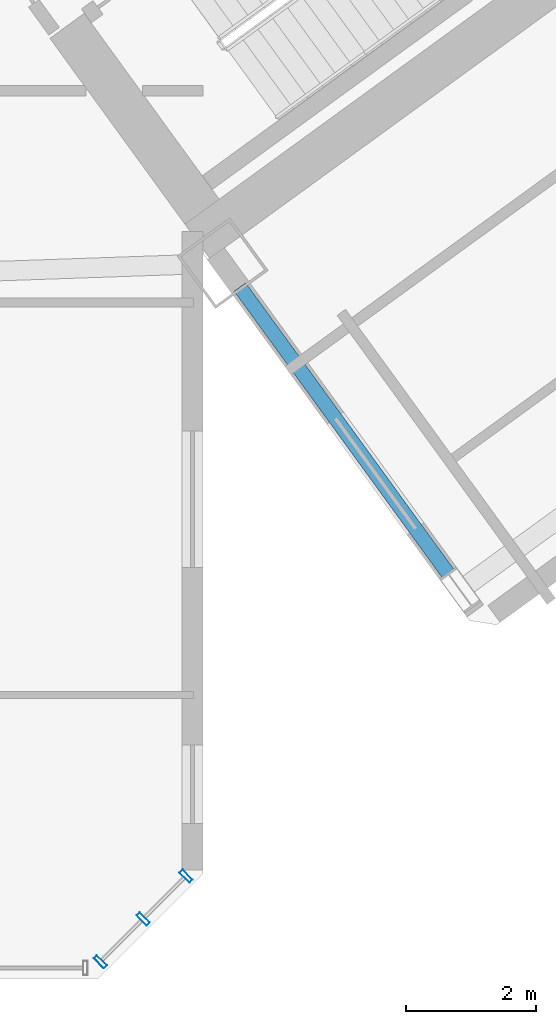
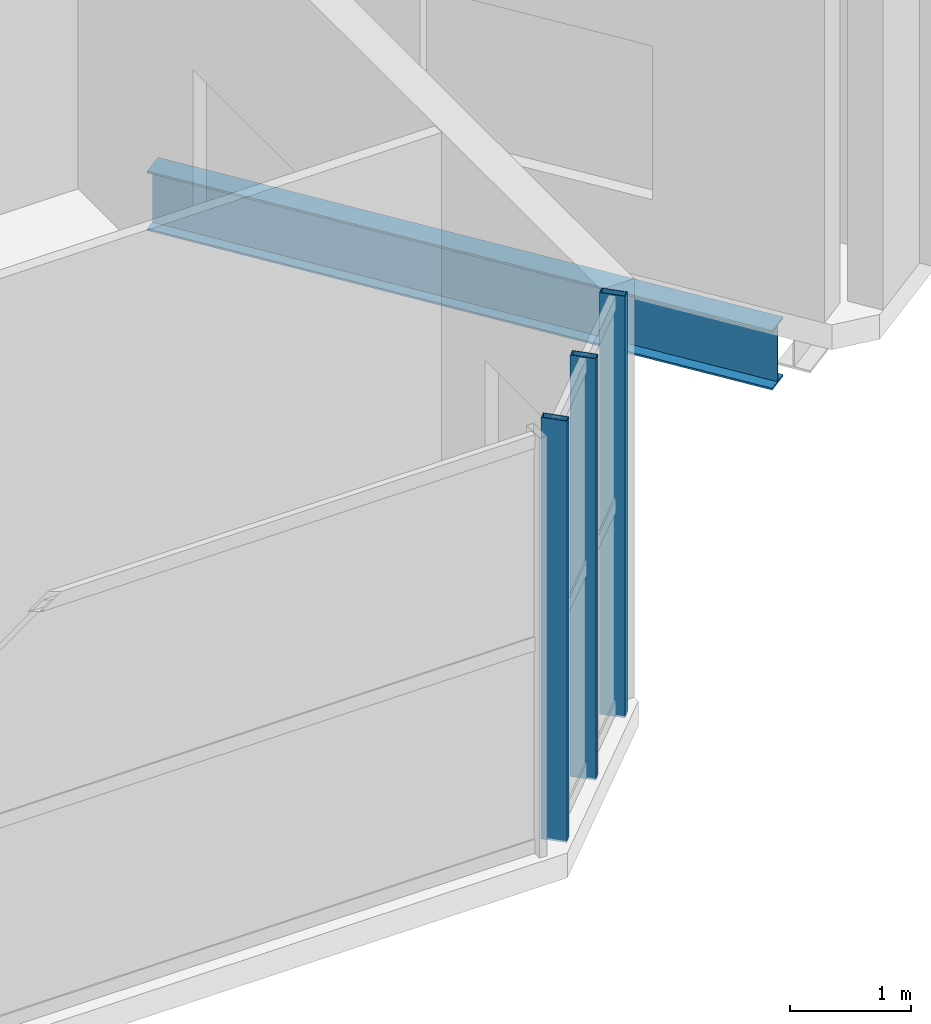
# One storey, part 9 of 30: 3 members, 1 beam, 1 element without a shape of its own.
"""IFC4 building model written with IfcOpenShell, lengths in metres."""

from ifc_helpers import new_model, si_unit, direction, frame, origin, origin_2d, place, context, subcontext, project, spatial, hollow_rectangle, i_section, extrude, source, transform, mapped, material, material_profile, profile_set, type_object, element, aggregate, save


model = new_model("IFC4")

# Units and contexts
model_context = context("Model", 3, precision=1e-05, world=origin(), true_north=direction((0.0, 1.0)))
body_context = subcontext(model_context, "Body", "Model", "MODEL_VIEW")
ifc_project = project(units=[si_unit("LENGTHUNIT", "METRE"), si_unit("AREAUNIT", "SQUARE_METRE"), si_unit("VOLUMEUNIT", "CUBIC_METRE"), si_unit("PLANEANGLEUNIT", "RADIAN"), si_unit("MASSUNIT", "GRAM", prefix="KILO")], contexts=[model_context])

# Site, building, storey
site_placement = place(None, origin())
site = spatial("IfcSite", under=ifc_project, at=site_placement, CompositionType="ELEMENT")
building_placement = place(site_placement, origin())
building = spatial("IfcBuilding", under=site, at=building_placement, Name="Tlacorven Tower", CompositionType="ELEMENT")
storey_placement = place(building_placement, frame((0.0, 0.0, 67.199951171875)))
storey = spatial("IfcBuildingStorey", under=building, at=storey_placement, Name="L17", CompositionType="ELEMENT", Elevation=67.199951171875)

# Beam
ifc_material_1 = material(Name="Steel S355J2", Category="steel")
ifc_material_profile_1 = material_profile(ifc_material_1, i_section(OverallWidth=0.219970703125, OverallDepth=0.60009765625, WebThickness=0.011962890625, FlangeThickness=0.01904296875, at=origin_2d()), Name="IPE 600")
ifc_profile_set_1 = profile_set([ifc_material_profile_1], Name="Steel S355J2")
beam_type = type_object("IfcBeamType", Name="BM-TWR-600", PredefinedType="BEAM", material=ifc_profile_set_1)
shared_shape_1 = source(origin(), body_context, "Body", "SweptSolid", [
    extrude(i_section(OverallWidth=0.219970703125, OverallDepth=0.60009765625, WebThickness=0.011962890625, FlangeThickness=0.01904296875, at=origin_2d()), origin(), (0.0, 0.0, 1.0), 5.650146484375),
])
beam_placement = place(storey_placement, frame((56.291015625, 7.83837890625, -0.550048828125), z_axis=(-0.587783675561, 0.809018139935, 0.0), x_axis=(-0.809018139935, -0.587783675561, 0.0)))
element("IfcBeam", 1, at=beam_placement, inside=storey, type_object=beam_type, Name="L17 beam BM-L17-ET1-1", PredefinedType="BEAM", context=body_context, shape_type="MappedRepresentation", body=[
    mapped(shared_shape_1, transform((0.0, 0.0, 0.0), scale=1.0)),
])

# Curtain wall, members
ifc_material_2 = material(Name="Dark solar low-E double glazing in aluminium frame", Category="aluminium")
curtain_wall_type = type_object("IfcCurtainWallType", Name="CW-TWR-LOW", PredefinedType="USERDEFINED", material=ifc_material_2)
curtain_wall_placement = place(storey_placement, origin())
curtain_wall = element("IfcCurtainWall", 2, at=curtain_wall_placement, inside=storey, type_object=curtain_wall_type, Name="L17 CW-TWR-LOW Curtain Wall 93", ObjectType="UNITISED CURTAIN WALL", PredefinedType="USERDEFINED")
ifc_material_3 = material(Name="Aluminium 6063-T6 anodised", Category="aluminium")
ifc_material_profile_2 = material_profile(ifc_material_3, hollow_rectangle(XDim=0.070068359375, YDim=0.219970703125, WallThickness=0.0048828125, at=origin_2d()), Name="ALU MULLION 70X220")
ifc_profile_set_2 = profile_set([ifc_material_profile_2], Name="Aluminium 6063-T6 anodised")
member_type = type_object("IfcMemberType", Name="CWM-01", PredefinedType="MULLION", material=ifc_profile_set_2)
shared_shape_2 = source(origin(), body_context, "Body", "SweptSolid", [
    extrude(hollow_rectangle(XDim=0.070068359375, YDim=0.219970703125, WallThickness=0.0048828125, at=origin_2d()), origin(), (0.0, 0.0, 1.0), 4.25),
])
member_1_placement = place(storey_placement, frame((52.14453125, 3.370849609375, -0.02001953125), z_axis=(0.0, 0.0, 1.0), x_axis=(-0.707106781187, -0.707106781187, 0.0)))
member_1 = element("IfcMember", 3, at=member_1_placement, type_object=member_type, Name="CW-L17-093 Mullion 1", PredefinedType="MULLION", context=body_context, shape_type="MappedRepresentation", body=[
    mapped(shared_shape_2, transform((0.0, 0.0, 0.0), scale=1.0)),
])
member_2_placement = place(storey_placement, frame((51.48681640625, 2.713134765625, -0.02001953125), z_axis=(0.0, 0.0, 1.0), x_axis=(-0.707106781187, -0.707106781187, 0.0)))
member_2 = element("IfcMember", 4, at=member_2_placement, type_object=member_type, Name="CW-L17-093 Mullion 2", PredefinedType="MULLION", context=body_context, shape_type="MappedRepresentation", body=[
    mapped(shared_shape_2, transform((0.0, 0.0, 0.0), scale=1.0)),
])
member_3_placement = place(storey_placement, frame((50.8291015625, 2.055419921875, -0.02001953125), z_axis=(0.0, 0.0, 1.0), x_axis=(-0.707106781187, -0.707106781187, 0.0)))
member_3 = element("IfcMember", 5, at=member_3_placement, type_object=member_type, Name="CW-L17-093 Mullion 3", PredefinedType="MULLION", context=body_context, shape_type="MappedRepresentation", body=[
    mapped(shared_shape_2, transform((0.0, 0.0, 0.0), scale=1.0)),
])
aggregate(curtain_wall, [member_1, member_2, member_3])

save(model, "model.ifc")
